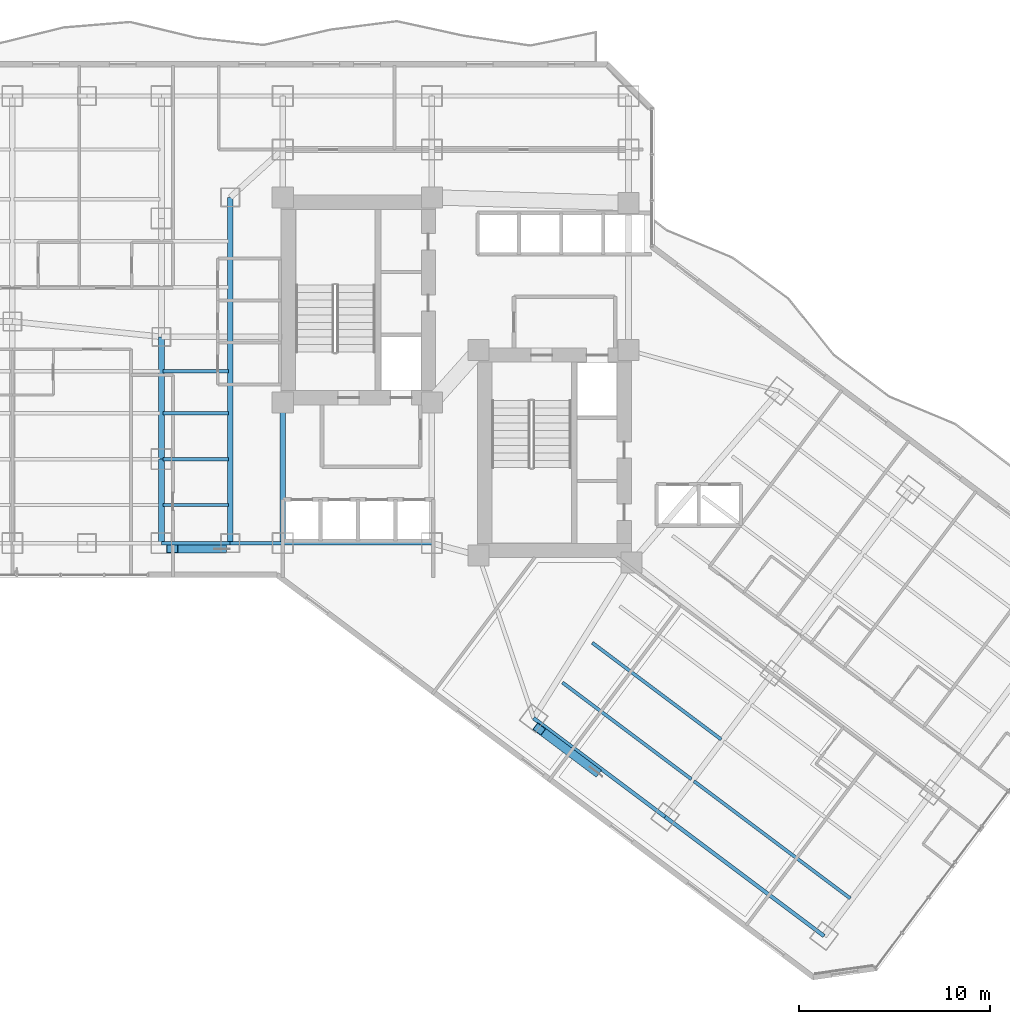
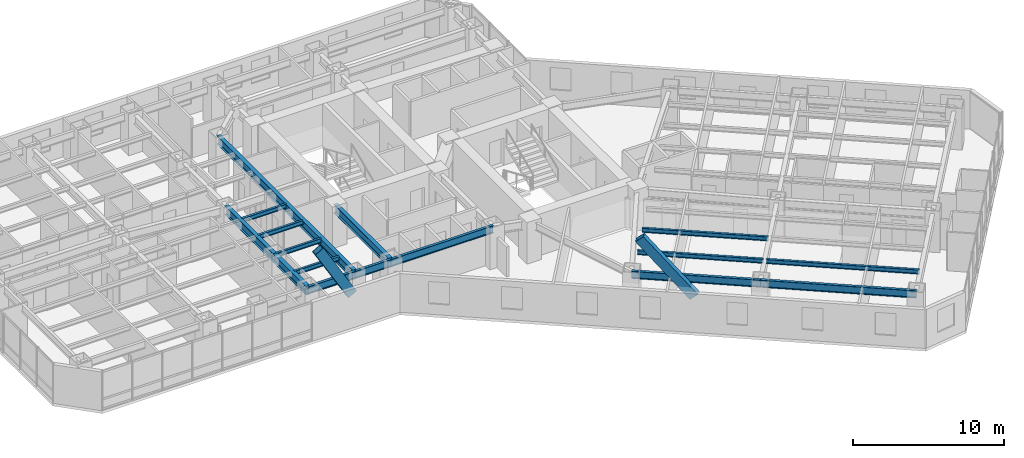
# One storey, part 7 of 32: 16 beams, 2 members.
"""IFC4 building model written with IfcOpenShell, lengths in metres."""

from ifc_helpers import new_model, si_unit, direction, frame, origin, origin_2d, place, context, subcontext, project, spatial, hollow_rectangle, i_section, extrude, material, material_profile, profile_set, type_object, element, save


model = new_model("IFC4")

# Units and contexts
model_context = context("Model", 3, precision=1e-05, world=origin(), true_north=direction((0.0, 1.0)))
body_context = subcontext(model_context, "Body", "Model", "MODEL_VIEW")
ifc_project = project(units=[si_unit("LENGTHUNIT", "METRE"), si_unit("AREAUNIT", "SQUARE_METRE"), si_unit("VOLUMEUNIT", "CUBIC_METRE"), si_unit("PLANEANGLEUNIT", "RADIAN"), si_unit("MASSUNIT", "GRAM", prefix="KILO")], contexts=[model_context])

# Site, building, storey
site_placement = place(None, origin())
site = spatial("IfcSite", under=ifc_project, at=site_placement, CompositionType="ELEMENT")
building_placement = place(site_placement, origin())
building = spatial("IfcBuilding", under=site, at=building_placement, Name="Hatsunagi Terrace Concourse", CompositionType="ELEMENT")
storey_placement = place(building_placement, frame((0.0, 0.0, 46.64990234375)))
storey = spatial("IfcBuildingStorey", under=building, at=storey_placement, Name="L11", CompositionType="ELEMENT", Elevation=46.64990234375)

# Beams
ifc_material_1 = material(Name="Steel SN490B", Category="steel")
ifc_material_profile_1 = material_profile(ifc_material_1, i_section(OverallWidth=0.300048828125, OverallDepth=0.699951171875, WebThickness=0.012939453125, FlangeThickness=0.02392578125, FilletRadius=0.02197265625, at=origin_2d()), Name="H-700x300x13x24")
ifc_profile_set_1 = profile_set([ifc_material_profile_1], Name="Steel SN490B")
beam_type_1 = type_object("IfcBeamType", Name="HotelFloorGirder_H_700x300", PredefinedType="BEAM", material=ifc_profile_set_1)
beam_1_placement = place(storey_placement, frame((25.550048828125, 25.199951171875, 2.780029296875), z_axis=(0.0, 1.0, 0.0), x_axis=(-1.0, 0.0, 0.0)))
element("IfcBeam", 1, at=beam_1_placement, inside=storey, type_object=beam_type_1, Name="Beam G-04 BM-L11-K1CA", PredefinedType="BEAM", context=body_context, shape_type="SweptSolid", body=[
    extrude(i_section(OverallWidth=0.300048828125, OverallDepth=0.699951171875, WebThickness=0.012939453125, FlangeThickness=0.02392578125, FilletRadius=0.02197265625, at=origin_2d()), origin(), (0.0, 0.0, 1.0), 7.35009765625),
])
beam_2_placement = place(storey_placement, frame((22.800048828125, 25.199951171875, 2.780029296875), z_axis=(0.0, 1.0, 0.0), x_axis=(-1.0, 0.0, 0.0)))
element("IfcBeam", 2, at=beam_2_placement, inside=storey, type_object=beam_type_1, Name="Beam G-04 BM-L11-CWNS", PredefinedType="BEAM", context=body_context, shape_type="SweptSolid", body=[
    extrude(i_section(OverallWidth=0.300048828125, OverallDepth=0.699951171875, WebThickness=0.012939453125, FlangeThickness=0.02392578125, FilletRadius=0.02197265625, at=origin_2d()), origin(), (0.0, 0.0, 1.0), 18.10009765625),
])
beam_3_placement = place(storey_placement, frame((19.199951171875, 25.199951171875, 2.780029296875), z_axis=(0.0, 1.0, 0.0), x_axis=(-1.0, 0.0, 0.0)))
element("IfcBeam", 3, at=beam_3_placement, inside=storey, type_object=beam_type_1, Name="Beam G-04 BM-L11-NS-19-25", PredefinedType="BEAM", context=body_context, shape_type="SweptSolid", body=[
    extrude(i_section(OverallWidth=0.300048828125, OverallDepth=0.699951171875, WebThickness=0.012939453125, FlangeThickness=0.02392578125, FilletRadius=0.02197265625, at=origin_2d()), origin(), (0.0, 0.0, 1.0), 4.400146484375),
])
beam_4_placement = place(storey_placement, frame((19.199951171875, 29.60009765625, 2.780029296875), z_axis=(0.0, 1.0, 0.0), x_axis=(-1.0, 0.0, 0.0)))
element("IfcBeam", 4, at=beam_4_placement, inside=storey, type_object=beam_type_1, Name="Beam G-04 BM-L11-NS-19-29", PredefinedType="BEAM", context=body_context, shape_type="SweptSolid", body=[
    extrude(i_section(OverallWidth=0.300048828125, OverallDepth=0.699951171875, WebThickness=0.012939453125, FlangeThickness=0.02392578125, FilletRadius=0.02197265625, at=origin_2d()), origin(), (0.0, 0.0, 1.0), 6.39990234375),
])
ifc_material_2 = material(Name="Steel SN490B", Category="steel")
ifc_material_profile_2 = material_profile(ifc_material_2, i_section(OverallWidth=0.175048828125, OverallDepth=0.35009765625, WebThickness=0.007080078125, FlangeThickness=0.010986328125, FilletRadius=0.012939453125, at=origin_2d()), Name="H-350x175x7x11")
ifc_profile_set_2 = profile_set([ifc_material_profile_2], Name="Steel SN490B")
beam_type_2 = type_object("IfcBeamType", Name="HotelJoist_H_350x175", PredefinedType="JOIST", material=ifc_profile_set_2)
for number, where, z_axis, x_axis, name in (
    (5, (19.284912109375, 27.199951171875, 2.955078125), (1.0, 0.0, 0.0), (0.0, 1.0, 0.0), "Beam J-02 J-L11-W-19-272"),
    (6, (19.284912109375, 29.60009765625, 2.955078125), (1.0, 0.0, 0.0), (0.0, 1.0, 0.0), "Beam J-02 J-L11-W-19-296"),
    (7, (19.284912109375, 32.0, 2.955078125), (1.0, 0.0, 0.0), (0.0, 1.0, 0.0), "Beam J-02 J-L11-W-19-320"),
    (8, (19.284912109375, 34.199951171875, 2.955078125), (1.0, 0.0, 0.0), (0.0, 1.0, 0.0), "Beam J-02 J-L11-W-19-342"),
):
    element("IfcBeam", number, at=place(storey_placement, frame(where, z_axis=z_axis, x_axis=x_axis)), inside=storey, type_object=beam_type_2, Name=name, PredefinedType="JOIST", context=body_context, shape_type="SweptSolid", body=[
        extrude(i_section(OverallWidth=0.175048828125, OverallDepth=0.35009765625, WebThickness=0.007080078125, FlangeThickness=0.010986328125, FilletRadius=0.012939453125, at=origin_2d()), origin(), (0.0, 0.0, 1.0), 3.43017578125),
    ])
for number, where, z_axis, x_axis, name in (
    (9, (40.18798828125, 17.908935546875, 2.955078125), (0.800003475366, -0.59999536615, 0.0), (0.59999536615, 0.800003475366, 0.0), "Beam J-02 J-L11-SE-2-46"),
    (10, (41.748046875, 19.989013671875, 2.955078125), (0.799989573921, -0.600013901187, 0.0), (0.600013901187, 0.799989573921, 0.0), "Beam J-02 J-L11-SE-2-72"),
):
    element("IfcBeam", number, at=place(storey_placement, frame(where, z_axis=z_axis, x_axis=x_axis)), inside=storey, type_object=beam_type_2, Name=name, PredefinedType="JOIST", context=body_context, shape_type="SweptSolid", body=[
        extrude(i_section(OverallWidth=0.175048828125, OverallDepth=0.35009765625, WebThickness=0.007080078125, FlangeThickness=0.010986328125, FilletRadius=0.012939453125, at=origin_2d()), origin(), (0.0, 0.0, 1.0), 8.429931640625),
    ])
beam_5_placement = place(storey_placement, frame((47.068115234375, 12.7490234375, 2.955078125), z_axis=(0.799997136125, -0.600003818481, 0.0), x_axis=(0.600003818481, 0.799997136125, 0.0)))
element("IfcBeam", 11, at=beam_5_placement, inside=storey, type_object=beam_type_2, Name="Beam J-02 J-L11-SE-3-46", PredefinedType="JOIST", context=body_context, shape_type="SweptSolid", body=[
    extrude(i_section(OverallWidth=0.175048828125, OverallDepth=0.35009765625, WebThickness=0.007080078125, FlangeThickness=0.010986328125, FilletRadius=0.012939453125, at=origin_2d()), origin(), (0.0, 0.0, 1.0), 10.229736328125),
])
ifc_material_3 = material(Name="Steel SN490B", Category="steel")
ifc_material_profile_3 = material_profile(ifc_material_3, i_section(OverallWidth=0.199951171875, OverallDepth=0.60009765625, WebThickness=0.010986328125, FlangeThickness=0.01708984375, FilletRadius=0.01806640625, at=origin_2d()), Name="H-600x200x11x17")
ifc_profile_set_3 = profile_set([ifc_material_profile_3], Name="Steel SN490B")
beam_type_3 = type_object("IfcBeamType", Name="PerimeterSpandrel_H_600x200", PredefinedType="SPANDREL", material=ifc_profile_set_3)
beam_6_placement = place(storey_placement, frame((19.199951171875, 25.199951171875, 2.830078125), z_axis=(1.0, 0.0, 0.0), x_axis=(0.0, 1.0, 0.0)))
element("IfcBeam", 12, at=beam_6_placement, inside=storey, type_object=beam_type_3, Name="Beam SP-01 BM-L11-WS-19", PredefinedType="SPANDREL", context=body_context, shape_type="SweptSolid", body=[
    extrude(i_section(OverallWidth=0.199951171875, OverallDepth=0.60009765625, WebThickness=0.010986328125, FlangeThickness=0.01708984375, FilletRadius=0.01806640625, at=origin_2d()), origin(), (0.0, 0.0, 1.0), 3.60009765625),
])
beam_7_placement = place(storey_placement, frame((22.800048828125, 25.199951171875, 2.830078125), z_axis=(1.0, 0.0, 0.0), x_axis=(0.0, 1.0, 0.0)))
element("IfcBeam", 13, at=beam_7_placement, inside=storey, type_object=beam_type_3, Name="Beam SP-01 BM-L11-WS-22", PredefinedType="SPANDREL", context=body_context, shape_type="SweptSolid", body=[
    extrude(i_section(OverallWidth=0.199951171875, OverallDepth=0.60009765625, WebThickness=0.010986328125, FlangeThickness=0.01708984375, FilletRadius=0.01806640625, at=origin_2d()), origin(), (0.0, 0.0, 1.0), 2.75),
])
beam_8_placement = place(storey_placement, frame((25.550048828125, 25.199951171875, 2.830078125), z_axis=(1.0, 0.0, 0.0), x_axis=(0.0, 1.0, 0.0)))
element("IfcBeam", 14, at=beam_8_placement, inside=storey, type_object=beam_type_3, Name="Beam SP-01 BM-L11-WS-25", PredefinedType="SPANDREL", context=body_context, shape_type="SweptSolid", body=[
    extrude(i_section(OverallWidth=0.199951171875, OverallDepth=0.60009765625, WebThickness=0.010986328125, FlangeThickness=0.01708984375, FilletRadius=0.01806640625, at=origin_2d()), origin(), (0.0, 0.0, 1.0), 7.800048828125),
])
beam_9_placement = place(storey_placement, frame((38.679931640625, 16.0400390625, 2.830078125), z_axis=(0.799996593451, -0.600004542038, 0.0), x_axis=(0.600004542038, 0.799996593451, 0.0)))
element("IfcBeam", 15, at=beam_9_placement, inside=storey, type_object=beam_type_3, Name="Beam SP-01 BM-L11-SE-SW2", PredefinedType="SPANDREL", context=body_context, shape_type="SweptSolid", body=[
    extrude(i_section(OverallWidth=0.199951171875, OverallDepth=0.60009765625, WebThickness=0.010986328125, FlangeThickness=0.01708984375, FilletRadius=0.01806640625, at=origin_2d()), origin(), (0.0, 0.0, 1.0), 8.60009765625),
])
beam_10_placement = place(storey_placement, frame((45.56005859375, 10.8798828125, 2.830078125), z_axis=(0.799994365871, -0.600007512099, 0.0), x_axis=(0.600007512099, 0.799994365871, 0.0)))
element("IfcBeam", 16, at=beam_10_placement, inside=storey, type_object=beam_type_3, Name="Beam SP-01 BM-L11-SE-SW3", PredefinedType="SPANDREL", context=body_context, shape_type="SweptSolid", body=[
    extrude(i_section(OverallWidth=0.199951171875, OverallDepth=0.60009765625, WebThickness=0.010986328125, FlangeThickness=0.01708984375, FilletRadius=0.01806640625, at=origin_2d()), origin(), (0.0, 0.0, 1.0), 10.39990234375),
])

# Members
ifc_material_4 = material(Name="Steel SN490B", Category="steel")
ifc_material_profile_4 = material_profile(ifc_material_4, hollow_rectangle(XDim=0.449951171875, YDim=0.699951171875, WallThickness=0.028076171875, at=origin_2d()), Name="RHS-700x450x28")
ifc_profile_set_4 = profile_set([ifc_material_profile_4], Name="Steel SN490B")
member_type = type_object("IfcMemberType", Name="PerimeterXBrace_Lower_RHS_700x450x28", PredefinedType="BRACE", material=ifc_profile_set_4)
member_1_placement = place(storey_placement, frame((19.77490234375, 24.89990234375, 6.0400390625), z_axis=(0.50241736454, 0.0, -0.864625231999), x_axis=(0.0, 1.0, 0.0)))
element("IfcMember", 17, at=member_1_placement, inside=storey, type_object=member_type, Name="Perimeter X-Brace Split Upper XB-01 XB-L10-W1B1", PredefinedType="BRACE", context=body_context, shape_type="SweptSolid", body=[
    extrude(hollow_rectangle(XDim=0.449951171875, YDim=0.699951171875, WallThickness=0.028076171875, at=origin_2d()), origin(), (0.0, 0.0, 1.0), 5.03564453125),
])
member_2_placement = place(storey_placement, frame((38.971923828125, 15.470947265625, 6.0400390625), z_axis=(0.511802980959, -0.383841493485, -0.768585334599), x_axis=(0.599989253469, 0.800008059786, 0.0)))
element("IfcMember", 18, at=member_2_placement, inside=storey, type_object=member_type, Name="Perimeter X-Brace Split Upper XB-01 XB-L10-SEB1", PredefinedType="BRACE", context=body_context, shape_type="SweptSolid", body=[
    extrude(hollow_rectangle(XDim=0.449951171875, YDim=0.699951171875, WallThickness=0.028076171875, at=origin_2d()), origin(), (0.0, 0.0, 1.0), 5.681884765625),
])

save(model, "model.ifc")
